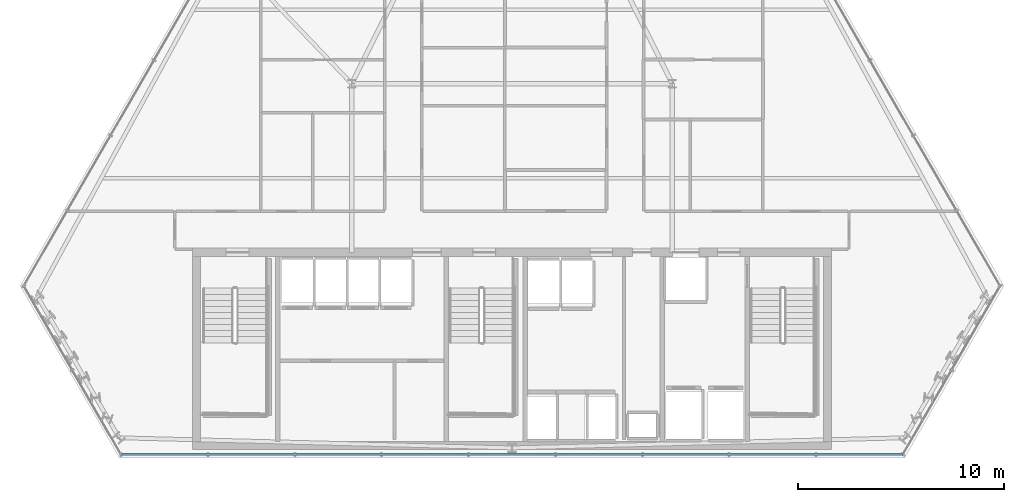
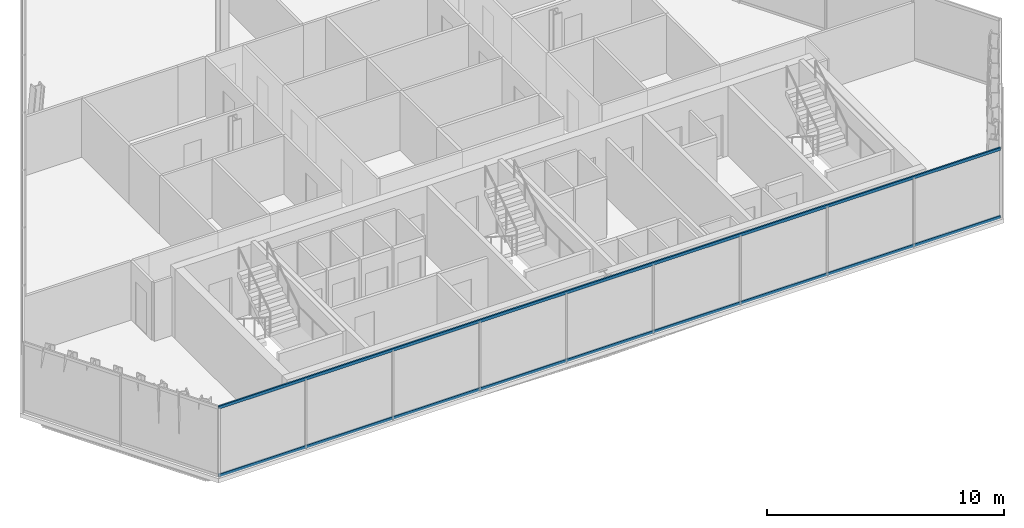
# One storey, part 7 of 33: 2 members, 1 element without a shape of its own.
"""IFC4 building model written with IfcOpenShell, lengths in metres."""

from ifc_helpers import new_model, si_unit, direction, frame, origin, origin_2d, place, context, subcontext, project, spatial, hollow_rectangle, extrude, material, layer, layer_set, material_profile, profile_set, type_object, element, aggregate, save


model = new_model("IFC4")

# Units and contexts
model_context = context("Model", 3, precision=1e-05, world=origin(), true_north=direction((0.0, 1.0)))
body_context = subcontext(model_context, "Body", "Model", "MODEL_VIEW")
ifc_project = project(units=[si_unit("LENGTHUNIT", "METRE"), si_unit("AREAUNIT", "SQUARE_METRE"), si_unit("VOLUMEUNIT", "CUBIC_METRE"), si_unit("PLANEANGLEUNIT", "RADIAN"), si_unit("MASSUNIT", "GRAM", prefix="KILO")], contexts=[model_context])

# Site, building, storey
site_placement = place(None, origin())
site = spatial("IfcSite", under=ifc_project, at=site_placement, CompositionType="ELEMENT")
building_placement = place(site_placement, origin())
building = spatial("IfcBuilding", under=site, at=building_placement, Name="Ndaravel Arena Tower", CompositionType="ELEMENT")
storey_placement = place(building_placement, frame((0.0, 0.0, 187.800048828125)))
storey = spatial("IfcBuildingStorey", under=building, at=storey_placement, Name="L45", CompositionType="ELEMENT", Elevation=187.800048828125)

# Curtain wall, members
ifc_material_1 = material(Name="Aluminium", Category="aluminium")
ifc_layer = layer(ifc_material_1, 0.179931640625)
ifc_layer_set = layer_set([ifc_layer], Name="Aluminium")
curtain_wall_type = type_object("IfcCurtainWallType", Name="CW-SYS-03", PredefinedType="NOTDEFINED", material=ifc_layer_set)
curtain_wall_placement = place(storey_placement, origin())
curtain_wall = element("IfcCurtainWall", 1, at=curtain_wall_placement, inside=storey, type_object=curtain_wall_type, Name="L45 Faceted Crystal Curtain Wall CW-L45-E01", PredefinedType="NOTDEFINED")
ifc_material_2 = material(Name="Aluminium", Category="aluminium")
ifc_material_profile = material_profile(ifc_material_2, hollow_rectangle(XDim=0.074951171875, YDim=0.14990234375, WallThickness=0.00390625, at=origin_2d()), Name="CW TRANSOM 75x150x4")
ifc_profile_set = profile_set([ifc_material_profile], Name="Aluminium")
member_type = type_object("IfcMemberType", Name="MEM-CW-TRN150", PredefinedType="USERDEFINED", material=ifc_profile_set)
member_1_placement = place(storey_placement, frame((22.986083984375, 5.159912109375, 0.0400390625), z_axis=(1.0, 0.0, 0.0), x_axis=(0.0, 1.0, 0.0)))
member_1 = element("IfcMember", 2, at=member_1_placement, type_object=member_type, Name="CW-L45-E01 Transom 01", ObjectType="TRANSOM", PredefinedType="USERDEFINED", context=body_context, shape_type="SweptSolid", body=[
    extrude(hollow_rectangle(XDim=0.074951171875, YDim=0.14990234375, WallThickness=0.00390625, at=origin_2d()), origin(), (0.0, 0.0, 1.0), 38.02783203125),
])
member_2_placement = place(storey_placement, frame((22.986083984375, 5.159912109375, 3.5400390625), z_axis=(1.0, 0.0, 0.0), x_axis=(0.0, 1.0, 0.0)))
member_2 = element("IfcMember", 3, at=member_2_placement, type_object=member_type, Name="CW-L45-E01 Transom 02", ObjectType="TRANSOM", PredefinedType="USERDEFINED", context=body_context, shape_type="SweptSolid", body=[
    extrude(hollow_rectangle(XDim=0.074951171875, YDim=0.14990234375, WallThickness=0.00390625, at=origin_2d()), origin(), (0.0, 0.0, 1.0), 38.02783203125),
])
aggregate(curtain_wall, [member_1, member_2])

save(model, "model.ifc")
